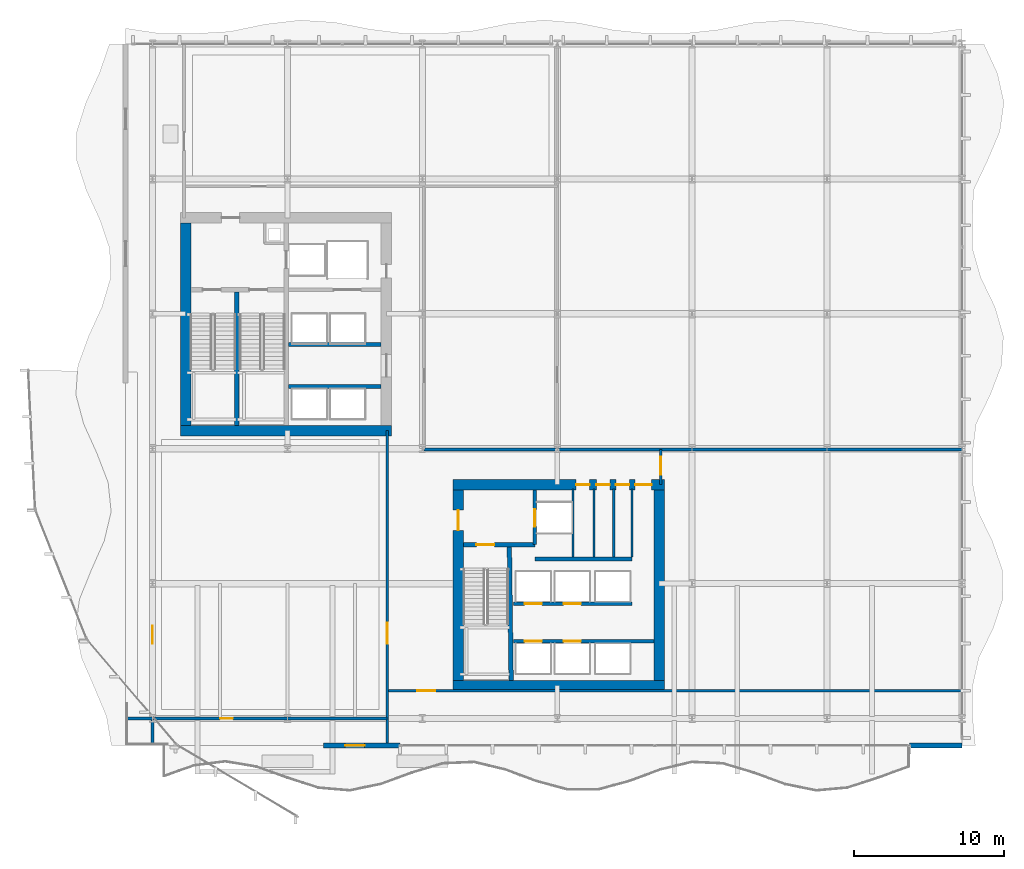
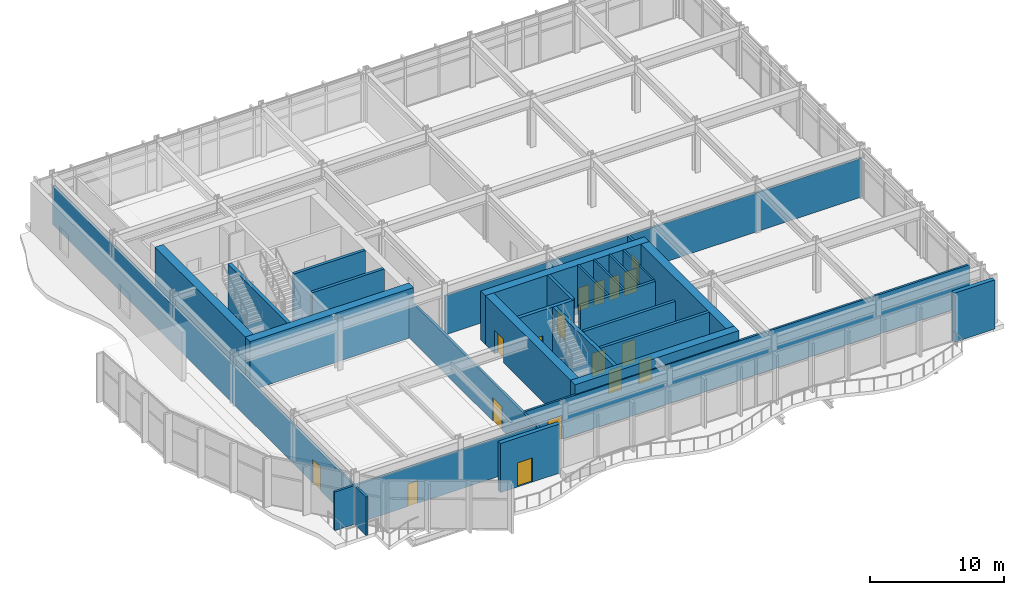
# One storey, part 20 of 29: 27 walls, 17 doors, 17 openings.
"""IFC4 building model written with IfcOpenShell, lengths in metres."""

from ifc_helpers import new_model, si_unit, direction, frame, frame_2d, origin, place, context, subcontext, project, spatial, rectangle, extrude, material, layer, layer_set, type_object, element, fill, save


model = new_model("IFC4")

# Units and contexts
model_context = context("Model", 3, precision=1e-05, world=origin(), true_north=direction((0.0, 1.0)))
body_context = subcontext(model_context, "Body", "Model", "MODEL_VIEW")
ifc_project = project(units=[si_unit("LENGTHUNIT", "METRE"), si_unit("AREAUNIT", "SQUARE_METRE"), si_unit("VOLUMEUNIT", "CUBIC_METRE"), si_unit("PLANEANGLEUNIT", "RADIAN"), si_unit("MASSUNIT", "GRAM", prefix="KILO")], contexts=[model_context])

# Site, building, storey
site_placement = place(None, origin())
site = spatial("IfcSite", under=ifc_project, at=site_placement, CompositionType="ELEMENT")
building_placement = place(site_placement, origin())
building = spatial("IfcBuilding", under=site, at=building_placement, Name="Solvaryn Broadcast Tower", CompositionType="ELEMENT")
storey_placement = place(building_placement, frame((0.0, 0.0, 21.199951171875)))
storey = spatial("IfcBuildingStorey", under=building, at=storey_placement, Name="L04", CompositionType="ELEMENT", Elevation=21.199951171875)

# Walls
ifc_material_1 = material(Name="Concrete f'c 70 MPa", Category="concrete")
ifc_layer_1 = layer(ifc_material_1, 0.699951171875)
ifc_layer_set_1 = layer_set([ifc_layer_1], Name="CW-SHEAR-700")
wall_type_1 = type_object("IfcWallType", Name="CW-SHEAR-700", PredefinedType="SHEAR", material=ifc_layer_set_1)
wall_1_placement = place(storey_placement, frame((10.85009765625, 28.199951171875, 0.0), z_axis=(0.0, 0.0, 1.0), x_axis=(1.0, 0.0, 0.0)))
element("IfcWall", 1, at=wall_1_placement, inside=storey, type_object=wall_type_1, Name="L04 West Core South Shear Wall", PredefinedType="SHEAR", context=body_context, shape_type="SweptSolid", body=[
    extrude(rectangle(XDim=14.099853515625, YDim=0.699951171875, at=frame_2d((7.0498046875, 0.0))), origin(), (0.0, 0.0, 1.0), 4.47998046875),
])
wall_2_placement = place(storey_placement, frame((11.199951171875, 42.050048828125, 0.0), z_axis=(0.0, 0.0, 1.0), x_axis=(0.0, -1.0, 0.0)))
element("IfcWall", 2, at=wall_2_placement, inside=storey, type_object=wall_type_1, Name="L04 West Core West Shear Wall", PredefinedType="SHEAR", context=body_context, shape_type="SweptSolid", body=[
    extrude(rectangle(XDim=13.5, YDim=0.699951171875, at=frame_2d((6.75, 0.0))), origin(), (0.0, 0.0, 1.0), 4.47998046875),
])
wall_3_placement = place(storey_placement, frame((29.050048828125, 11.199951171875, 0.0), z_axis=(0.0, 0.0, 1.0), x_axis=(1.0, 0.0, 0.0)))
element("IfcWall", 3, at=wall_3_placement, inside=storey, type_object=wall_type_1, Name="L04 East Core South Shear Wall", PredefinedType="SHEAR", context=body_context, shape_type="SweptSolid", body=[
    extrude(rectangle(XDim=14.099853515625, YDim=0.699951171875, at=frame_2d((7.0498046875, 0.0))), origin(), (0.0, 0.0, 1.0), 4.47998046875),
])

# Wall, openings, doors
wall_4_placement = place(storey_placement, frame((43.14990234375, 24.60009765625, 0.0), z_axis=(0.0, 0.0, 1.0), x_axis=(-1.0, 0.0, 0.0)))
wall_4 = element("IfcWall", 4, at=wall_4_placement, inside=storey, type_object=wall_type_1, Name="L04 East Core North Shear Wall", PredefinedType="SHEAR", context=body_context, shape_type="SweptSolid", body=[
    extrude(rectangle(XDim=14.099853515625, YDim=0.699951171875, at=frame_2d((7.0498046875, 0.0))), origin(), (0.0, 0.0, 1.0), 4.47998046875),
])
opening_1_placement = place(wall_4_placement, frame((0.85009765625, 0.0, 0.0)))
opening_1 = element("IfcOpeningElement", 5, at=opening_1_placement, cuts=wall_4, Name="Opening FD90C", PredefinedType="OPENING", context=body_context, shape_type="SweptSolid", body=[
    extrude(rectangle(XDim=1.10009765625, YDim=2.14990234375, at=frame_2d((0.550048828125, 1.074951171875))), frame((0.0, 0.360107421875, 0.0), z_axis=(0.0, -1.0, 0.0), x_axis=(1.0, 0.0, 0.0)), (0.0, 0.0, 1.0), 0.719970703125),
])
opening_2_placement = place(wall_4_placement, frame((2.35009765625, 0.0, 0.0)))
opening_2 = element("IfcOpeningElement", 6, at=opening_2_placement, cuts=wall_4, Name="Opening FD60C", PredefinedType="OPENING", context=body_context, shape_type="SweptSolid", body=[
    extrude(rectangle(XDim=0.89990234375, YDim=2.10009765625, at=frame_2d((0.449951171875, 1.050048828125))), frame((0.0, 0.360107421875, 0.0), z_axis=(0.0, -1.0, 0.0), x_axis=(1.0, 0.0, 0.0)), (0.0, 0.0, 1.0), 0.719970703125),
])
opening_3_placement = place(wall_4_placement, frame((3.64990234375, 0.0, 0.0)))
opening_3 = element("IfcOpeningElement", 7, at=opening_3_placement, cuts=wall_4, Name="Opening FD60C", PredefinedType="OPENING", context=body_context, shape_type="SweptSolid", body=[
    extrude(rectangle(XDim=0.89990234375, YDim=2.10009765625, at=frame_2d((0.449951171875, 1.050048828125))), frame((0.0, 0.360107421875, 0.0), z_axis=(0.0, -1.0, 0.0), x_axis=(1.0, 0.0, 0.0)), (0.0, 0.0, 1.0), 0.719970703125),
])
opening_4_placement = place(wall_4_placement, frame((5.0, 0.0, 0.0)))
opening_4 = element("IfcOpeningElement", 8, at=opening_4_placement, cuts=wall_4, Name="Opening FD60C", PredefinedType="OPENING", context=body_context, shape_type="SweptSolid", body=[
    extrude(rectangle(XDim=0.89990234375, YDim=2.10009765625, at=frame_2d((0.449951171875, 1.050048828125))), frame((0.0, 0.360107421875, 0.0), z_axis=(0.0, -1.0, 0.0), x_axis=(1.0, 0.0, 0.0)), (0.0, 0.0, 1.0), 0.719970703125),
])
ifc_material_2 = material(Name="Flush Acoustic Steel and Timber Door Assembly", Category="steel")
door_type_1 = type_object("IfcDoorType", Name="FD60-SERV-900X2100", OperationType="NOTDEFINED", PredefinedType="DOOR", material=ifc_material_2)
door_1_placement = place(opening_2_placement, origin())
door_1 = element("IfcDoor", 9, at=door_1_placement, inside=storey, type_object=door_type_1, Name="L04 Core Wellness Room Door", OperationType="SINGLE_SWING_RIGHT", OverallHeight=2.10009765625, OverallWidth=0.89990234375, PredefinedType="DOOR", context=body_context, shape_type="SweptSolid", body=[
    extrude(rectangle(XDim=0.89990234375, YDim=2.10009765625, at=frame_2d((0.449951171875, 1.050048828125))), frame((0.0, 0.02490234375, 0.0), z_axis=(0.0, -1.0, 0.0), x_axis=(1.0, 0.0, 0.0)), (0.0, 0.0, 1.0), 0.050048828125),
])
fill(opening_2, door_1)
door_2_placement = place(opening_3_placement, origin())
door_2 = element("IfcDoor", 10, at=door_2_placement, inside=storey, type_object=door_type_1, Name="L04 Staff Restroom Door", OperationType="SINGLE_SWING_LEFT", OverallHeight=2.10009765625, OverallWidth=0.89990234375, PredefinedType="DOOR", context=body_context, shape_type="SweptSolid", body=[
    extrude(rectangle(XDim=0.89990234375, YDim=2.10009765625, at=frame_2d((0.449951171875, 1.050048828125))), frame((0.0, 0.02490234375, 0.0), z_axis=(0.0, -1.0, 0.0), x_axis=(1.0, 0.0, 0.0)), (0.0, 0.0, 1.0), 0.050048828125),
])
fill(opening_3, door_2)
door_3_placement = place(opening_4_placement, origin())
door_3 = element("IfcDoor", 11, at=door_3_placement, inside=storey, type_object=door_type_1, Name="L04 Accessible WC Door", OperationType="SINGLE_SWING_RIGHT", OverallHeight=2.10009765625, OverallWidth=0.89990234375, PredefinedType="DOOR", context=body_context, shape_type="SweptSolid", body=[
    extrude(rectangle(XDim=0.89990234375, YDim=2.10009765625, at=frame_2d((0.449951171875, 1.050048828125))), frame((0.0, 0.02490234375, 0.0), z_axis=(0.0, -1.0, 0.0), x_axis=(1.0, 0.0, 0.0)), (0.0, 0.0, 1.0), 0.050048828125),
])
fill(opening_4, door_3)
ifc_material_3 = material(Name="Flush Acoustic Steel and Timber Door Assembly", Category="steel")
door_type_2 = type_object("IfcDoorType", Name="FD90-PLANT-1100X2150", OperationType="NOTDEFINED", PredefinedType="DOOR", material=ifc_material_3)
door_4_placement = place(opening_1_placement, origin())
door_4 = element("IfcDoor", 12, at=door_4_placement, inside=storey, type_object=door_type_2, Name="L04 East Core Lobby Corridor Door", OperationType="SINGLE_SWING_LEFT", OverallHeight=2.14990234375, OverallWidth=1.10009765625, PredefinedType="DOOR", context=body_context, shape_type="SweptSolid", body=[
    extrude(rectangle(XDim=1.10009765625, YDim=2.14990234375, at=frame_2d((0.550048828125, 1.074951171875))), frame((0.0, 0.02490234375, 0.0), z_axis=(0.0, -1.0, 0.0), x_axis=(1.0, 0.0, 0.0)), (0.0, 0.0, 1.0), 0.050048828125),
])
fill(opening_1, door_4)

# Wall, opening, door
wall_5_placement = place(storey_placement, frame((29.39990234375, 24.25, 0.0), z_axis=(0.0, 0.0, 1.0), x_axis=(0.0, -1.0, 0.0)))
wall_5 = element("IfcWall", 13, at=wall_5_placement, inside=storey, type_object=wall_type_1, Name="L04 East Core West Shear Wall", PredefinedType="SHEAR", context=body_context, shape_type="SweptSolid", body=[
    extrude(rectangle(XDim=12.699951171875, YDim=0.699951171875, at=frame_2d((6.35009765625, 0.0))), origin(), (0.0, 0.0, 1.0), 4.47998046875),
])
opening_5_placement = place(wall_5_placement, frame((1.35009765625, 0.0, 0.0)))
opening_5 = element("IfcOpeningElement", 14, at=opening_5_placement, cuts=wall_5, Name="Opening FD90B", PredefinedType="OPENING", context=body_context, shape_type="SweptSolid", body=[
    extrude(rectangle(XDim=1.35009765625, YDim=2.14990234375, at=frame_2d((0.675048828125, 1.074951171875))), frame((0.0, 0.360107421875, 0.0), z_axis=(0.0, -1.0, 0.0), x_axis=(1.0, 0.0, 0.0)), (0.0, 0.0, 1.0), 0.719970703125),
])
ifc_material_4 = material(Name="Flush Acoustic Steel and Timber Door Assembly", Category="steel")
door_type_3 = type_object("IfcDoorType", Name="FD90-LOBBY-1350X2150", OperationType="NOTDEFINED", PredefinedType="DOOR", material=ifc_material_4)
door_5_placement = place(opening_5_placement, origin())
door_5 = element("IfcDoor", 15, at=door_5_placement, inside=storey, type_object=door_type_3, Name="L04 East FSAE Lobby Door", OperationType="SINGLE_SWING_RIGHT", OverallHeight=2.14990234375, OverallWidth=1.35009765625, PredefinedType="DOOR", context=body_context, shape_type="SweptSolid", body=[
    extrude(rectangle(XDim=1.35009765625, YDim=2.14990234375, at=frame_2d((0.675048828125, 1.074951171875))), frame((0.0, 0.02490234375, 0.0), z_axis=(0.0, -1.0, 0.0), x_axis=(1.0, 0.0, 0.0)), (0.0, 0.0, 1.0), 0.050048828125),
])
fill(opening_5, door_5)

# Wall
wall_6_placement = place(storey_placement, frame((42.800048828125, 11.550048828125, 0.0), z_axis=(0.0, 0.0, 1.0), x_axis=(0.0, 1.0, 0.0)))
element("IfcWall", 16, at=wall_6_placement, inside=storey, type_object=wall_type_1, Name="L04 East Core East Shear Wall", PredefinedType="SHEAR", context=body_context, shape_type="SweptSolid", body=[
    extrude(rectangle(XDim=12.699951171875, YDim=0.699951171875, at=frame_2d((6.35009765625, 0.0))), origin(), (0.0, 0.0, 1.0), 4.47998046875),
])

# Wall, opening, door
ifc_material_5 = material(Name="Concrete f'c 50 MPa", Category="concrete")
ifc_layer_2 = layer(ifc_material_5, 0.35009765625)
ifc_layer_set_2 = layer_set([ifc_layer_2], Name="EW-STUDIO-350")
wall_type_2 = type_object("IfcWallType", Name="EW-STUDIO-350", PredefinedType="SOLIDWALL", material=ifc_layer_set_2)
wall_7_placement = place(storey_placement, frame((25.5, 7.199951171875, 0.0), z_axis=(0.0, 0.0, 1.0), x_axis=(-1.0, 0.0, 0.0)))
wall_7 = element("IfcWall", 17, at=wall_7_placement, inside=storey, type_object=wall_type_2, Name="L04 Podium South Studio Pier Wall", PredefinedType="SOLIDWALL", context=body_context, shape_type="SweptSolid", body=[
    extrude(rectangle(XDim=5.10009765625, YDim=0.35009765625, at=frame_2d((2.550048828125, 0.0))), origin(), (0.0, 0.0, 1.0), 4.47998046875),
])
opening_6_placement = place(wall_7_placement, frame((2.35009765625, 0.0, 0.0)))
opening_6 = element("IfcOpeningElement", 18, at=opening_6_placement, cuts=wall_7, Name="Opening EDT04", PredefinedType="OPENING", context=body_context, shape_type="SweptSolid", body=[
    extrude(rectangle(XDim=1.300048828125, YDim=2.199951171875, at=frame_2d((0.64990234375, 1.10009765625))), frame((0.0, 0.18505859375, 0.0), z_axis=(0.0, -1.0, 0.0), x_axis=(1.0, 0.0, 0.0)), (0.0, 0.0, 1.0), 0.3701171875),
])
ifc_material_6 = material(Name="Insulated Architectural Aluminium and Glazing", Category="aluminium")
door_type_4 = type_object("IfcDoorType", Name="ED-TER-1300X2200", OperationType="NOTDEFINED", PredefinedType="DOOR", material=ifc_material_6)
door_6_placement = place(opening_6_placement, origin())
door_6 = element("IfcDoor", 19, at=door_6_placement, inside=storey, type_object=door_type_4, Name="L04 South Cascading Terrace Door", OperationType="SINGLE_SWING_LEFT", OverallHeight=2.199951171875, OverallWidth=1.300048828125, PredefinedType="DOOR", context=body_context, shape_type="SweptSolid", body=[
    extrude(rectangle(XDim=1.300048828125, YDim=2.199951171875, at=frame_2d((0.64990234375, 1.10009765625))), frame((0.0, 0.02490234375, 0.0), z_axis=(0.0, -1.0, 0.0), x_axis=(1.0, 0.0, 0.0)), (0.0, 0.0, 1.0), 0.050048828125),
])
fill(opening_6, door_6)

# Walls
wall_8_placement = place(storey_placement, frame((63.0, 7.199951171875, 0.0), z_axis=(0.0, 0.0, 1.0), x_axis=(-1.0, 0.0, 0.0)))
element("IfcWall", 20, at=wall_8_placement, inside=storey, type_object=wall_type_2, Name="L04 Podium SE Corner Pier Wall", PredefinedType="SOLIDWALL", context=body_context, shape_type="SweptSolid", body=[
    extrude(rectangle(XDim=3.5, YDim=0.35009765625, at=frame_2d((1.75, 0.0))), origin(), (0.0, 0.0, 1.0), 4.47998046875),
])
ifc_material_7 = material(Name="Metal-Stud Service Core Partition")
ifc_layer_3 = layer(ifc_material_7, 0.14990234375)
ifc_layer_set_3 = layer_set([ifc_layer_3], Name="IW-PART-150")
wall_type_3 = type_object("IfcWallType", Name="IW-PART-150", PredefinedType="PARTITIONING", material=ifc_layer_set_3)
for number, where, z_axis, x_axis, name in (
    (21, (37.050048828125, 19.780029296875, 0.0), (0.0, 0.0, 1.0), (0.0, 1.0, 0.0), "L04 Interior Partition IW-L04-CE-FL2E"),
    (22, (38.43994140625, 19.780029296875, 0.0), (0.0, 0.0, 1.0), (0.0, 1.0, 0.0), "L04 Interior Partition IW-L04-CE-V1"),
    (23, (39.77001953125, 19.780029296875, 0.0), (0.0, 0.0, 1.0), (0.0, 1.0, 0.0), "L04 Interior Partition IW-L04-CE-V2"),
    (24, (40.97998046875, 19.780029296875, 0.0), (0.0, 0.0, 1.0), (0.0, 1.0, 0.0), "L04 Interior Partition IW-L04-CE-V3"),
):
    element("IfcWall", number, at=place(storey_placement, frame(where, z_axis=z_axis, x_axis=x_axis)), inside=storey, type_object=wall_type_3, Name=name, PredefinedType="PARTITIONING", context=body_context, shape_type="SweptSolid", body=[
        extrude(rectangle(XDim=4.52001953125, YDim=0.14990234375, at=frame_2d((2.260009765625, 0.0))), origin(), (0.0, 0.0, 1.0), 4.47998046875),
    ])

# Wall, opening, door
ifc_material_8 = material(Name="Acoustic Metal-Stud Gypsum Partition")
ifc_layer_4 = layer(ifc_material_8, 0.179931640625)
ifc_layer_set_4 = layer_set([ifc_layer_4], Name="IW-PART-180")
wall_type_4 = type_object("IfcWallType", Name="IW-PART-180", PredefinedType="PARTITIONING", material=ifc_layer_set_4)
wall_9_placement = place(storey_placement, frame((24.64990234375, 7.199951171875, 0.0), z_axis=(0.0, 0.0, 1.0), x_axis=(0.0, 1.0, 0.0)))
wall_9 = element("IfcWall", 25, at=wall_9_placement, inside=storey, type_object=wall_type_4, Name="L04 Interior Partition IW-L04-PW1", PredefinedType="PARTITIONING", context=body_context, shape_type="SweptSolid", body=[
    extrude(rectangle(XDim=21.0, YDim=0.179931640625, at=frame_2d((10.5, 0.0))), origin(), (0.0, 0.0, 1.0), 3.511962890625),
])
opening_7_placement = place(wall_9_placement, frame((6.800048828125, 0.0, 0.0)))
opening_7 = element("IfcOpeningElement", 26, at=opening_7_placement, cuts=wall_9, Name="Opening ID05", PredefinedType="OPENING", context=body_context, shape_type="SweptSolid", body=[
    extrude(rectangle(XDim=1.39990234375, YDim=2.14990234375, at=frame_2d((0.699951171875, 1.074951171875))), frame((0.0, 0.099853515625, 0.0), z_axis=(0.0, -1.0, 0.0), x_axis=(1.0, 0.0, 0.0)), (0.0, 0.0, 1.0), 0.199951171875),
])
ifc_material_9 = material(Name="Flush Acoustic Steel and Timber Door Assembly", Category="steel")
door_type_5 = type_object("IfcDoorType", Name="ID-05-1400X2150", OperationType="NOTDEFINED", PredefinedType="DOOR", material=ifc_material_9)
door_7_placement = place(opening_7_placement, origin())
door_7 = element("IfcDoor", 27, at=door_7_placement, inside=storey, type_object=door_type_5, Name="L04 Door DR-L04-PD1", OperationType="DOUBLE_DOOR_SINGLE_SWING", OverallHeight=2.14990234375, OverallWidth=1.39990234375, PredefinedType="DOOR", context=body_context, shape_type="SweptSolid", body=[
    extrude(rectangle(XDim=1.39990234375, YDim=2.14990234375, at=frame_2d((0.699951171875, 1.074951171875))), frame((0.0, 0.02490234375, 0.0), z_axis=(0.0, -1.0, 0.0), x_axis=(1.0, 0.0, 0.0)), (0.0, 0.0, 1.0), 0.050048828125),
])
fill(opening_7, door_7)

wall_10_placement = place(storey_placement, frame((24.64990234375, 10.85009765625, 0.0), z_axis=(0.0, 0.0, 1.0), x_axis=(1.0, 0.0, 0.0)))
wall_10 = element("IfcWall", 28, at=wall_10_placement, inside=storey, type_object=wall_type_4, Name="L04 Interior Partition IW-L04-PW2", PredefinedType="PARTITIONING", context=body_context, shape_type="SweptSolid", body=[
    extrude(rectangle(XDim=38.35009765625, YDim=0.179931640625, at=frame_2d((19.175048828125, 0.0))), origin(), (0.0, 0.0, 1.0), 3.60498046875),
])
opening_8_placement = place(wall_10_placement, frame((2.0, 0.0, 0.0)))
opening_8 = element("IfcOpeningElement", 29, at=opening_8_placement, cuts=wall_10, Name="Opening ID04", PredefinedType="OPENING", context=body_context, shape_type="SweptSolid", body=[
    extrude(rectangle(XDim=1.199951171875, YDim=2.14990234375, at=frame_2d((0.60009765625, 1.074951171875))), frame((0.0, 0.099853515625, 0.0), z_axis=(0.0, -1.0, 0.0), x_axis=(1.0, 0.0, 0.0)), (0.0, 0.0, 1.0), 0.199951171875),
])
ifc_material_10 = material(Name="Flush Acoustic Steel and Timber Door Assembly", Category="steel")
door_type_6 = type_object("IfcDoorType", Name="ID-04-1200X2150", OperationType="NOTDEFINED", PredefinedType="DOOR", material=ifc_material_10)
door_8_placement = place(opening_8_placement, origin())
door_8 = element("IfcDoor", 30, at=door_8_placement, inside=storey, type_object=door_type_6, Name="L04 Door DR-L04-PD2", OperationType="SINGLE_SWING_LEFT", OverallHeight=2.14990234375, OverallWidth=1.199951171875, PredefinedType="DOOR", context=body_context, shape_type="SweptSolid", body=[
    extrude(rectangle(XDim=1.199951171875, YDim=2.14990234375, at=frame_2d((0.60009765625, 1.074951171875))), frame((0.0, 0.02490234375, 0.0), z_axis=(0.0, -1.0, 0.0), x_axis=(1.0, 0.0, 0.0)), (0.0, 0.0, 1.0), 0.050048828125),
])
fill(opening_8, door_8)

wall_11_placement = place(storey_placement, frame((42.89990234375, 24.60009765625, 0.0), z_axis=(0.0, 0.0, 1.0), x_axis=(0.0, 1.0, 0.0)))
wall_11 = element("IfcWall", 31, at=wall_11_placement, inside=storey, type_object=wall_type_4, Name="L04 Interior Partition IW-L04-PW4", PredefinedType="PARTITIONING", context=body_context, shape_type="SweptSolid", body=[
    extrude(rectangle(XDim=2.349853515625, YDim=0.179931640625, at=frame_2d((1.1748046875, 0.0))), origin(), (0.0, 0.0, 1.0), 3.532958984375),
])
opening_9_placement = place(wall_11_placement, frame((0.64990234375, 0.0, 0.0)))
opening_9 = element("IfcOpeningElement", 32, at=opening_9_placement, cuts=wall_11, Name="Opening ID04", PredefinedType="OPENING", context=body_context, shape_type="SweptSolid", body=[
    extrude(rectangle(XDim=1.199951171875, YDim=2.14990234375, at=frame_2d((0.60009765625, 1.074951171875))), frame((0.0, 0.099853515625, 0.0), z_axis=(0.0, -1.0, 0.0), x_axis=(1.0, 0.0, 0.0)), (0.0, 0.0, 1.0), 0.199951171875),
])
door_9_placement = place(opening_9_placement, origin())
door_9 = element("IfcDoor", 33, at=door_9_placement, inside=storey, type_object=door_type_6, Name="L04 Door DR-L04-PD3", OperationType="SINGLE_SWING_RIGHT", OverallHeight=2.14990234375, OverallWidth=1.199951171875, PredefinedType="DOOR", context=body_context, shape_type="SweptSolid", body=[
    extrude(rectangle(XDim=1.199951171875, YDim=2.14990234375, at=frame_2d((0.60009765625, 1.074951171875))), frame((0.0, 0.02490234375, 0.0), z_axis=(0.0, -1.0, 0.0), x_axis=(1.0, 0.0, 0.0)), (0.0, 0.0, 1.0), 0.050048828125),
])
fill(opening_9, door_9)

# Wall
wall_12_placement = place(storey_placement, frame((27.10009765625, 26.949951171875, 0.0), z_axis=(0.0, 0.0, 1.0), x_axis=(1.0, 0.0, 0.0)))
element("IfcWall", 34, at=wall_12_placement, inside=storey, type_object=wall_type_4, Name="L04 Interior Partition IW-L04-PW5", PredefinedType="PARTITIONING", context=body_context, shape_type="SweptSolid", body=[
    extrude(rectangle(XDim=35.89990234375, YDim=0.179931640625, at=frame_2d((17.949951171875, 0.0))), origin(), (0.0, 0.0, 1.0), 3.532958984375),
])

# Wall, opening, door
wall_13_placement = place(storey_placement, frame((9.0, 7.199951171875, 0.0), z_axis=(0.0, 0.0, 1.0), x_axis=(0.0, 1.0, 0.0)))
wall_13 = element("IfcWall", 35, at=wall_13_placement, inside=storey, type_object=wall_type_4, Name="L04 Interior Partition IW-L04-PWW", PredefinedType="PARTITIONING", context=body_context, shape_type="SweptSolid", body=[
    extrude(rectangle(XDim=46.800048828125, YDim=0.179931640625, at=frame_2d((23.39990234375, 0.0))), origin(), (0.0, 0.0, 1.0), 3.511962890625),
])
opening_10_placement = place(wall_13_placement, frame((6.800048828125, 0.0, 0.0)))
opening_10 = element("IfcOpeningElement", 36, at=opening_10_placement, cuts=wall_13, Name="Opening ID04", PredefinedType="OPENING", context=body_context, shape_type="SweptSolid", body=[
    extrude(rectangle(XDim=1.199951171875, YDim=2.14990234375, at=frame_2d((0.60009765625, 1.074951171875))), frame((0.0, 0.099853515625, 0.0), z_axis=(0.0, -1.0, 0.0), x_axis=(1.0, 0.0, 0.0)), (0.0, 0.0, 1.0), 0.199951171875),
])
door_10_placement = place(opening_10_placement, origin())
door_10 = element("IfcDoor", 37, at=door_10_placement, inside=storey, type_object=door_type_6, Name="L04 Door DR-L04-PDW", OperationType="SINGLE_SWING_RIGHT", OverallHeight=2.14990234375, OverallWidth=1.199951171875, PredefinedType="DOOR", context=body_context, shape_type="SweptSolid", body=[
    extrude(rectangle(XDim=1.199951171875, YDim=2.14990234375, at=frame_2d((0.60009765625, 1.074951171875))), frame((0.0, 0.02490234375, 0.0), z_axis=(0.0, -1.0, 0.0), x_axis=(1.0, 0.0, 0.0)), (0.0, 0.0, 1.0), 0.050048828125),
])
fill(opening_10, door_10)

wall_14_placement = place(storey_placement, frame((7.199951171875, 9.0, 0.0), z_axis=(0.0, 0.0, 1.0), x_axis=(1.0, 0.0, 0.0)))
wall_14 = element("IfcWall", 38, at=wall_14_placement, inside=storey, type_object=wall_type_4, Name="L04 Interior Partition IW-L04-PWS", PredefinedType="PARTITIONING", context=body_context, shape_type="SweptSolid", body=[
    extrude(rectangle(XDim=17.449951171875, YDim=0.179931640625, at=frame_2d((8.72509765625, 0.0))), origin(), (0.0, 0.0, 1.0), 3.532958984375),
])
opening_11_placement = place(wall_14_placement, frame((6.300048828125, 0.0, 0.0)))
opening_11 = element("IfcOpeningElement", 39, at=opening_11_placement, cuts=wall_14, Name="Opening ID07", PredefinedType="OPENING", context=body_context, shape_type="SweptSolid", body=[
    extrude(rectangle(XDim=0.860107421875, YDim=2.050048828125, at=frame_2d((0.43017578125, 1.02490234375))), frame((0.0, 0.099853515625, 0.0), z_axis=(0.0, -1.0, 0.0), x_axis=(1.0, 0.0, 0.0)), (0.0, 0.0, 1.0), 0.199951171875),
])
ifc_material_11 = material(Name="Flush Acoustic Steel and Timber Door Assembly", Category="steel")
door_type_7 = type_object("IfcDoorType", Name="ID-07-860X2050", OperationType="NOTDEFINED", PredefinedType="DOOR", material=ifc_material_11)
door_11_placement = place(opening_11_placement, origin())
door_11 = element("IfcDoor", 40, at=door_11_placement, inside=storey, type_object=door_type_7, Name="L04 Door DR-L04-PDS", OperationType="SINGLE_SWING_RIGHT", OverallHeight=2.050048828125, OverallWidth=0.860107421875, PredefinedType="DOOR", context=body_context, shape_type="SweptSolid", body=[
    extrude(rectangle(XDim=0.860107421875, YDim=2.050048828125, at=frame_2d((0.43017578125, 1.02490234375))), frame((0.0, 0.02490234375, 0.0), z_axis=(0.0, -1.0, 0.0), x_axis=(1.0, 0.0, 0.0)), (0.0, 0.0, 1.0), 0.050048828125),
])
fill(opening_11, door_11)

# Walls
ifc_material_12 = material(Name="Concrete f'c 60 MPa", Category="concrete")
ifc_layer_5 = layer(ifc_material_12, 0.25)
ifc_layer_set_5 = layer_set([ifc_layer_5], Name="SW-SHAFT-250")
wall_type_5 = type_object("IfcWallType", Name="SW-SHAFT-250", PredefinedType="PARTITIONING", material=ifc_layer_set_5)
for number, where, z_axis, x_axis, name in (
    (41, (18.070068359375, 31.14990234375, 0.0), (0.0, 0.0, 1.0), (1.0, 0.0, 0.0), "L04 High-Rise Lift Bank South Wall"),
    (42, (24.25, 33.949951171875, 0.0), (0.0, 0.0, 1.0), (-1.0, 0.0, 0.0), "L04 High-Rise Lift Bank North Wall"),
):
    element("IfcWall", number, at=place(storey_placement, frame(where, z_axis=z_axis, x_axis=x_axis)), inside=storey, type_object=wall_type_5, Name=name, PredefinedType="PARTITIONING", context=body_context, shape_type="SweptSolid", body=[
        extrude(rectangle(XDim=6.179931640625, YDim=0.25, at=frame_2d((3.08984375, 0.0))), origin(), (0.0, 0.0, 1.0), 4.47998046875),
    ])

# Wall, opening, door
wall_15_placement = place(storey_placement, frame((34.5, 20.60009765625, 0.0), z_axis=(0.0, 0.0, 1.0), x_axis=(0.0, 1.0, 0.0)))
wall_15 = element("IfcWall", 43, at=wall_15_placement, inside=storey, type_object=wall_type_5, Name="L04 East FSAE Lobby East Wall", PredefinedType="PARTITIONING", context=body_context, shape_type="SweptSolid", body=[
    extrude(rectangle(XDim=3.64990234375, YDim=0.25, at=frame_2d((1.824951171875, 0.0))), origin(), (0.0, 0.0, 1.0), 4.47998046875),
])
opening_12_placement = place(wall_15_placement, frame((1.199951171875, 0.0, 0.0)))
opening_12 = element("IfcOpeningElement", 44, at=opening_12_placement, cuts=wall_15, Name="Opening LD01", PredefinedType="OPENING", context=body_context, shape_type="SweptSolid", body=[
    extrude(rectangle(XDim=1.14990234375, YDim=2.14990234375, at=frame_2d((0.574951171875, 1.074951171875))), frame((0.0, 0.135009765625, 0.0), z_axis=(0.0, -1.0, 0.0), x_axis=(1.0, 0.0, 0.0)), (0.0, 0.0, 1.0), 0.27001953125),
])
ifc_material_13 = material(Name="Flush Acoustic Steel and Timber Door Assembly", Category="steel")
door_type_8 = type_object("IfcDoorType", Name="LD-LIFT-1150X2150", OperationType="NOTDEFINED", PredefinedType="DOOR", material=ifc_material_13)
door_12_placement = place(opening_12_placement, origin())
door_12 = element("IfcDoor", 45, at=door_12_placement, inside=storey, type_object=door_type_8, Name="L04 FL2 Lift Landing Door", OperationType="DOUBLE_DOOR_SLIDING", OverallHeight=2.14990234375, OverallWidth=1.14990234375, PredefinedType="DOOR", context=body_context, shape_type="SweptSolid", body=[
    extrude(rectangle(XDim=1.14990234375, YDim=2.14990234375, at=frame_2d((0.574951171875, 1.074951171875))), frame((0.0, 0.02490234375, 0.0), z_axis=(0.0, -1.0, 0.0), x_axis=(1.0, 0.0, 0.0)), (0.0, 0.0, 1.0), 0.050048828125),
])
fill(opening_12, door_12)

# Wall
wall_16_placement = place(storey_placement, frame((34.5, 19.64990234375, 0.0), z_axis=(0.0, 0.0, 1.0), x_axis=(1.0, 0.0, 0.0)))
element("IfcWall", 46, at=wall_16_placement, inside=storey, type_object=wall_type_5, Name="L04 East Core Restroom South Wall", PredefinedType="PARTITIONING", context=body_context, shape_type="SweptSolid", body=[
    extrude(rectangle(XDim=6.47998046875, YDim=0.25, at=frame_2d((3.239990234375, 0.0))), origin(), (0.0, 0.0, 1.0), 4.47998046875),
])

# Wall, openings, doors
wall_17_placement = place(storey_placement, frame((33.070068359375, 14.14990234375, 0.0), z_axis=(0.0, 0.0, 1.0), x_axis=(1.0, 0.0, 0.0)))
wall_17 = element("IfcWall", 47, at=wall_17_placement, inside=storey, type_object=wall_type_5, Name="L04 East Lift Bank South Wall", PredefinedType="PARTITIONING", context=body_context, shape_type="SweptSolid", body=[
    extrude(rectangle(XDim=9.3798828125, YDim=0.25, at=frame_2d((4.68994140625, 0.0))), origin(), (0.0, 0.0, 1.0), 4.47998046875),
])
opening_13_placement = place(wall_17_placement, frame((0.7548828125, 0.0, 0.0)))
opening_13 = element("IfcOpeningElement", 48, at=opening_13_placement, cuts=wall_17, Name="Opening LD01", PredefinedType="OPENING", context=body_context, shape_type="SweptSolid", body=[
    extrude(rectangle(XDim=1.14990234375, YDim=2.14990234375, at=frame_2d((0.574951171875, 1.074951171875))), frame((0.0, 0.135009765625, 0.0), z_axis=(0.0, -1.0, 0.0), x_axis=(1.0, 0.0, 0.0)), (0.0, 0.0, 1.0), 0.27001953125),
])
opening_14_placement = place(wall_17_placement, frame((3.35498046875, 0.0, 0.0)))
opening_14 = element("IfcOpeningElement", 49, at=opening_14_placement, cuts=wall_17, Name="Opening LD01", PredefinedType="OPENING", context=body_context, shape_type="SweptSolid", body=[
    extrude(rectangle(XDim=1.14990234375, YDim=2.14990234375, at=frame_2d((0.574951171875, 1.074951171875))), frame((0.0, 0.135009765625, 0.0), z_axis=(0.0, -1.0, 0.0), x_axis=(1.0, 0.0, 0.0)), (0.0, 0.0, 1.0), 0.27001953125),
])
door_13_placement = place(opening_13_placement, origin())
door_13 = element("IfcDoor", 50, at=door_13_placement, inside=storey, type_object=door_type_8, Name="L04 PL1 Lift Landing Door", OperationType="DOUBLE_DOOR_SLIDING", OverallHeight=2.14990234375, OverallWidth=1.14990234375, PredefinedType="DOOR", context=body_context, shape_type="SweptSolid", body=[
    extrude(rectangle(XDim=1.14990234375, YDim=2.14990234375, at=frame_2d((0.574951171875, 1.074951171875))), frame((0.0, 0.02490234375, 0.0), z_axis=(0.0, -1.0, 0.0), x_axis=(1.0, 0.0, 0.0)), (0.0, 0.0, 1.0), 0.050048828125),
])
fill(opening_13, door_13)
door_14_placement = place(opening_14_placement, origin())
door_14 = element("IfcDoor", 51, at=door_14_placement, inside=storey, type_object=door_type_8, Name="L04 PL2 Lift Landing Door", OperationType="DOUBLE_DOOR_SLIDING", OverallHeight=2.14990234375, OverallWidth=1.14990234375, PredefinedType="DOOR", context=body_context, shape_type="SweptSolid", body=[
    extrude(rectangle(XDim=1.14990234375, YDim=2.14990234375, at=frame_2d((0.574951171875, 1.074951171875))), frame((0.0, 0.02490234375, 0.0), z_axis=(0.0, -1.0, 0.0), x_axis=(1.0, 0.0, 0.0)), (0.0, 0.0, 1.0), 0.050048828125),
])
fill(opening_14, door_14)

wall_18_placement = place(storey_placement, frame((40.97998046875, 16.64990234375, 0.0), z_axis=(0.0, 0.0, 1.0), x_axis=(-1.0, 0.0, 0.0)))
wall_18 = element("IfcWall", 52, at=wall_18_placement, inside=storey, type_object=wall_type_5, Name="L04 East Lift Bank North Wall", PredefinedType="PARTITIONING", context=body_context, shape_type="SweptSolid", body=[
    extrude(rectangle(XDim=7.909912109375, YDim=0.25, at=frame_2d((3.955078125, 0.0))), origin(), (0.0, 0.0, 1.0), 4.47998046875),
])
opening_15_placement = place(wall_18_placement, frame((6.0048828125, 0.0, 0.0)))
opening_15 = element("IfcOpeningElement", 53, at=opening_15_placement, cuts=wall_18, Name="Opening LD01", PredefinedType="OPENING", context=body_context, shape_type="SweptSolid", body=[
    extrude(rectangle(XDim=1.14990234375, YDim=2.14990234375, at=frame_2d((0.574951171875, 1.074951171875))), frame((0.0, 0.135009765625, 0.0), z_axis=(0.0, -1.0, 0.0), x_axis=(1.0, 0.0, 0.0)), (0.0, 0.0, 1.0), 0.27001953125),
])
opening_16_placement = place(wall_18_placement, frame((3.405029296875, 0.0, 0.0)))
opening_16 = element("IfcOpeningElement", 54, at=opening_16_placement, cuts=wall_18, Name="Opening LD01", PredefinedType="OPENING", context=body_context, shape_type="SweptSolid", body=[
    extrude(rectangle(XDim=1.14990234375, YDim=2.14990234375, at=frame_2d((0.574951171875, 1.074951171875))), frame((0.0, 0.135009765625, 0.0), z_axis=(0.0, -1.0, 0.0), x_axis=(1.0, 0.0, 0.0)), (0.0, 0.0, 1.0), 0.27001953125),
])
door_15_placement = place(opening_15_placement, origin())
door_15 = element("IfcDoor", 55, at=door_15_placement, inside=storey, type_object=door_type_8, Name="L04 PL3 Lift Landing Door", OperationType="DOUBLE_DOOR_SLIDING", OverallHeight=2.14990234375, OverallWidth=1.14990234375, PredefinedType="DOOR", context=body_context, shape_type="SweptSolid", body=[
    extrude(rectangle(XDim=1.14990234375, YDim=2.14990234375, at=frame_2d((0.574951171875, 1.074951171875))), frame((0.0, 0.02490234375, 0.0), z_axis=(0.0, -1.0, 0.0), x_axis=(1.0, 0.0, 0.0)), (0.0, 0.0, 1.0), 0.050048828125),
])
fill(opening_15, door_15)
door_16_placement = place(opening_16_placement, origin())
door_16 = element("IfcDoor", 56, at=door_16_placement, inside=storey, type_object=door_type_8, Name="L04 PL4 Lift Landing Door", OperationType="DOUBLE_DOOR_SLIDING", OverallHeight=2.14990234375, OverallWidth=1.14990234375, PredefinedType="DOOR", context=body_context, shape_type="SweptSolid", body=[
    extrude(rectangle(XDim=1.14990234375, YDim=2.14990234375, at=frame_2d((0.574951171875, 1.074951171875))), frame((0.0, 0.02490234375, 0.0), z_axis=(0.0, -1.0, 0.0), x_axis=(1.0, 0.0, 0.0)), (0.0, 0.0, 1.0), 0.050048828125),
])
fill(opening_16, door_16)

# Walls
ifc_material_14 = material(Name="Concrete f'c 70 MPa", Category="concrete")
ifc_layer_6 = layer(ifc_material_14, 0.300048828125)
ifc_layer_set_6 = layer_set([ifc_layer_6], Name="SW-SHAFT-300")
wall_type_6 = type_object("IfcWallType", Name="SW-SHAFT-300", PredefinedType="SHEAR", material=ifc_layer_set_6)
wall_19_placement = place(storey_placement, frame((14.6201171875, 28.550048828125, 0.0), z_axis=(0.0, 0.0, 1.0), x_axis=(0.0, 1.0, 0.0)))
element("IfcWall", 57, at=wall_19_placement, inside=storey, type_object=wall_type_6, Name="L04 Stair 1-2 Dividing Wall", PredefinedType="SHEAR", context=body_context, shape_type="SweptSolid", body=[
    extrude(rectangle(XDim=8.89990234375, YDim=0.300048828125, at=frame_2d((4.449951171875, 0.0))), origin(), (0.0, 0.0, 1.0), 4.47998046875),
])
wall_20_placement = place(storey_placement, frame((32.919921875, 11.550048828125, 0.0), z_axis=(0.0, 0.0, 1.0), x_axis=(-0.01331804616, 0.99991131089, 0.0)))
element("IfcWall", 58, at=wall_20_placement, inside=storey, type_object=wall_type_6, Name="L04 Stair 3 East Shear Wall", PredefinedType="SHEAR", context=body_context, shape_type="SweptSolid", body=[
    extrude(rectangle(XDim=9.000732421875, YDim=0.300048828125, at=frame_2d((4.50048828125, 0.0))), origin(), (0.0, 0.0, 1.0), 4.47998046875),
])

# Wall, opening, door
wall_21_placement = place(storey_placement, frame((34.5, 20.60009765625, 0.0), z_axis=(0.0, 0.0, 1.0), x_axis=(-1.0, 0.0, 0.0)))
wall_21 = element("IfcWall", 59, at=wall_21_placement, inside=storey, type_object=wall_type_6, Name="L04 East FSAE Lobby South Wall", PredefinedType="SHEAR", context=body_context, shape_type="SweptSolid", body=[
    extrude(rectangle(XDim=4.75, YDim=0.300048828125, at=frame_2d((2.375, 0.0))), origin(), (0.0, 0.0, 1.0), 4.47998046875),
])
opening_17_placement = place(wall_21_placement, frame((2.699951171875, 0.0, 0.0)))
opening_17 = element("IfcOpeningElement", 60, at=opening_17_placement, cuts=wall_21, Name="Opening FD90A", PredefinedType="OPENING", context=body_context, shape_type="SweptSolid", body=[
    extrude(rectangle(XDim=1.199951171875, YDim=2.14990234375, at=frame_2d((0.60009765625, 1.074951171875))), frame((0.0, 0.159912109375, 0.0), z_axis=(0.0, -1.0, 0.0), x_axis=(1.0, 0.0, 0.0)), (0.0, 0.0, 1.0), 0.320068359375),
])
ifc_material_15 = material(Name="Flush Acoustic Steel and Timber Door Assembly", Category="steel")
door_type_9 = type_object("IfcDoorType", Name="FD90-STAIR-1200X2150", OperationType="NOTDEFINED", PredefinedType="DOOR", material=ifc_material_15)
door_17_placement = place(opening_17_placement, origin())
door_17 = element("IfcDoor", 61, at=door_17_placement, inside=storey, type_object=door_type_9, Name="L04 Stair 3 Fire Door", OperationType="SINGLE_SWING_LEFT", OverallHeight=2.14990234375, OverallWidth=1.199951171875, PredefinedType="DOOR", context=body_context, shape_type="SweptSolid", body=[
    extrude(rectangle(XDim=1.199951171875, YDim=2.14990234375, at=frame_2d((0.60009765625, 1.074951171875))), frame((0.0, 0.02490234375, 0.0), z_axis=(0.0, -1.0, 0.0), x_axis=(1.0, 0.0, 0.0)), (0.0, 0.0, 1.0), 0.050048828125),
])
fill(opening_17, door_17)

save(model, "model.ifc")
